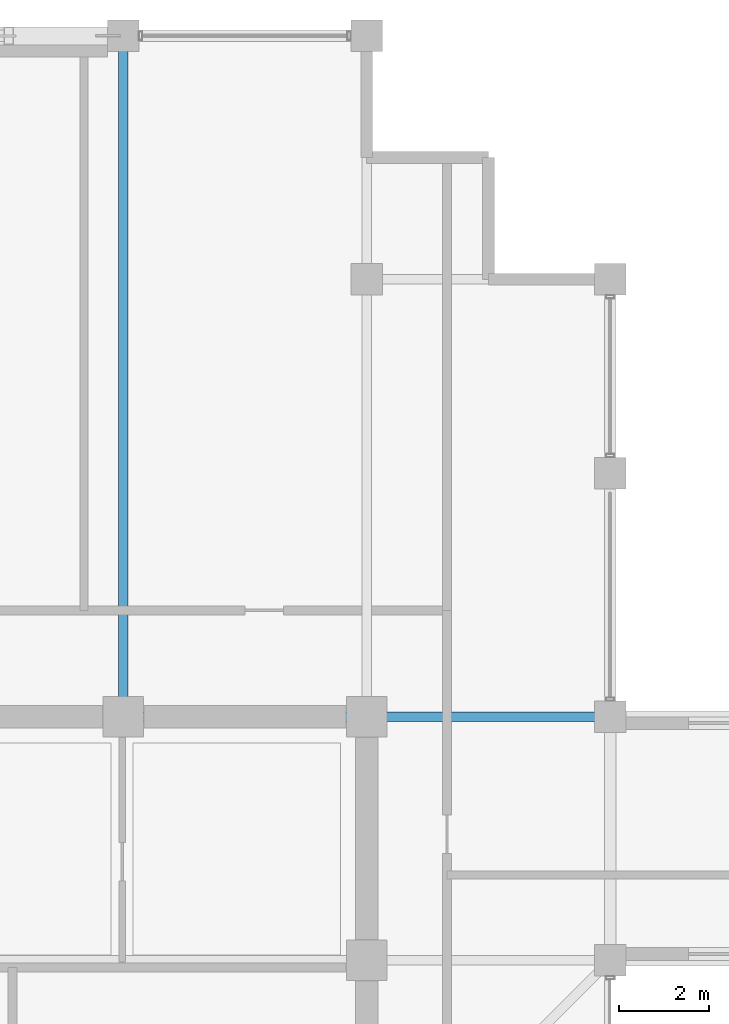
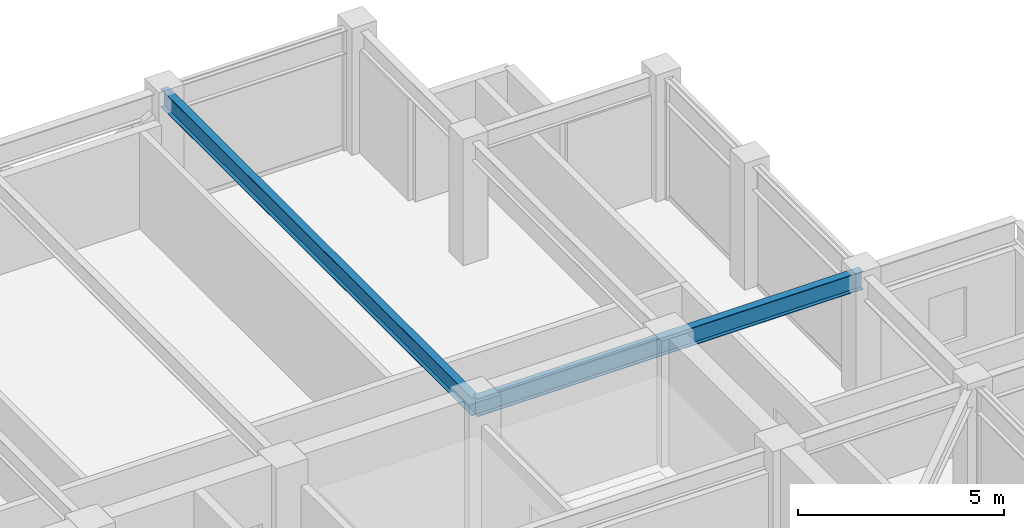
# One storey, part 18 of 31: 2 beams.
"""IFC4 building model written with IfcOpenShell, lengths in metres."""

from ifc_helpers import new_model, si_unit, direction, frame, origin, origin_2d, place, context, subcontext, project, spatial, i_section, extrude, material, material_profile, profile_set, type_object, element, save


model = new_model("IFC4")

# Units and contexts
model_context = context("Model", 3, precision=1e-05, world=origin(), true_north=direction((0.0, 1.0)))
body_context = subcontext(model_context, "Body", "Model", "MODEL_VIEW")
ifc_project = project(units=[si_unit("LENGTHUNIT", "METRE"), si_unit("AREAUNIT", "SQUARE_METRE"), si_unit("VOLUMEUNIT", "CUBIC_METRE"), si_unit("PLANEANGLEUNIT", "RADIAN"), si_unit("MASSUNIT", "GRAM", prefix="KILO")], contexts=[model_context])

# Site, building, storey
site_placement = place(None, origin())
site = spatial("IfcSite", under=ifc_project, at=site_placement, CompositionType="ELEMENT")
building_placement = place(site_placement, origin())
building = spatial("IfcBuilding", under=site, at=building_placement, Name="Surkhivell Harbour Commons", CompositionType="ELEMENT")
storey_placement = place(building_placement, frame((0.0, 0.0, 266.25)))
storey = spatial("IfcBuildingStorey", under=building, at=storey_placement, Name="L69", CompositionType="ELEMENT", Elevation=266.25)

# Beams
ifc_material = material(Name="Steel S355", Category="steel")
ifc_material_profile = material_profile(ifc_material, i_section(OverallWidth=0.2099609375, OverallDepth=0.537109375, WebThickness=0.0107421875, FlangeThickness=0.017333984375, at=origin_2d()), Name="UB533x210x101")
ifc_profile_set = profile_set([ifc_material_profile], Name="Steel S355")
beam_type = type_object("IfcBeamType", Name="BM-GRD-533B", PredefinedType="BEAM", material=ifc_profile_set)
beam_1_placement = place(storey_placement, frame((5.39990234375, 10.800048828125, 3.301513671875), z_axis=(1.0, 0.0, 0.0), x_axis=(0.0, 1.0, 0.0)))
element("IfcBeam", 1, at=beam_1_placement, inside=storey, type_object=beam_type, Name="L69 Cantilever Back-Span Girder (5.4,10.8)", PredefinedType="BEAM", context=body_context, shape_type="SweptSolid", body=[
    extrude(i_section(OverallWidth=0.2099609375, OverallDepth=0.537109375, WebThickness=0.0107421875, FlangeThickness=0.017333984375, at=origin_2d()), origin(), (0.0, 0.0, 1.0), 10.800048828125),
])
beam_2_placement = place(storey_placement, frame((5.39990234375, 10.800048828125, 3.301513671875), z_axis=(0.0, 1.0, 0.0), x_axis=(-1.0, 0.0, 0.0)))
element("IfcBeam", 2, at=beam_2_placement, inside=storey, type_object=beam_type, Name="L69 Floor Girder (5.4,10.8)", PredefinedType="BEAM", context=body_context, shape_type="SweptSolid", body=[
    extrude(i_section(OverallWidth=0.2099609375, OverallDepth=0.537109375, WebThickness=0.0107421875, FlangeThickness=0.017333984375, at=origin_2d()), origin(), (0.0, 0.0, 1.0), 15.099853515625),
])

save(model, "model.ifc")
